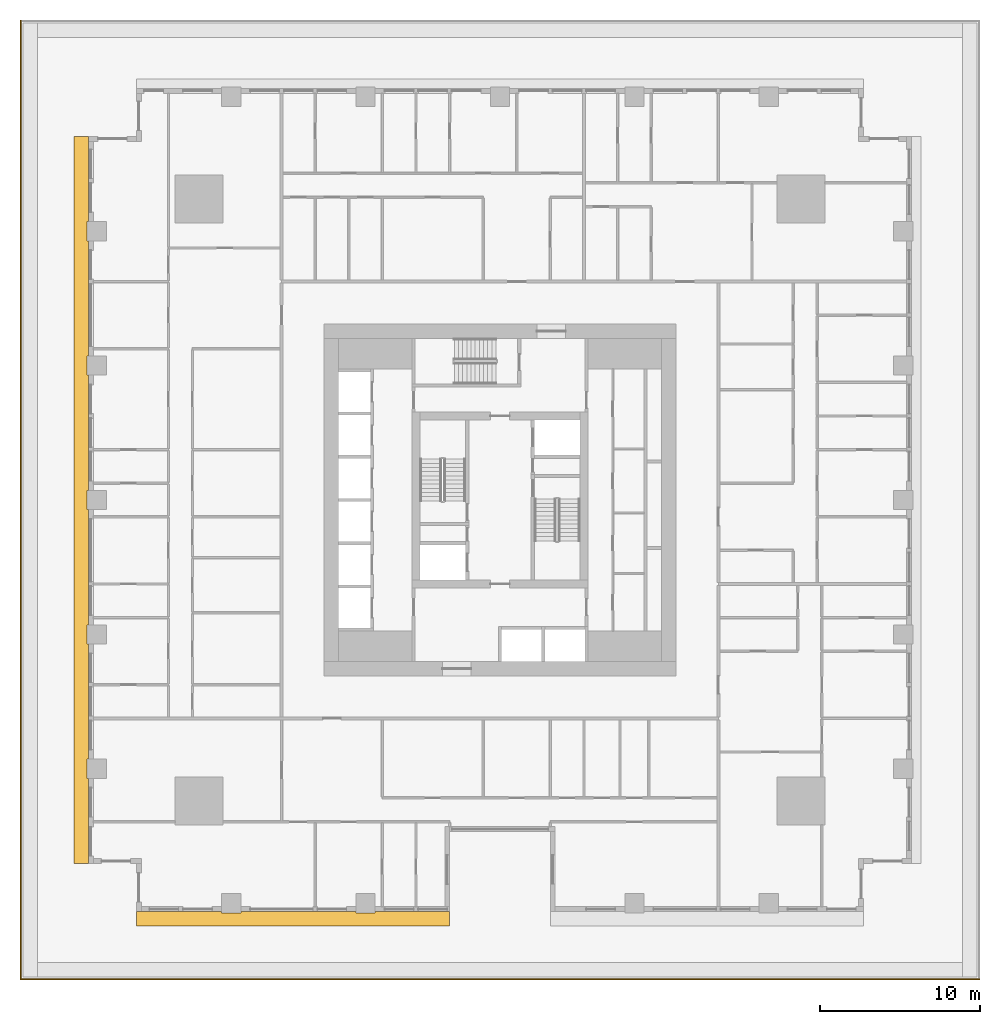
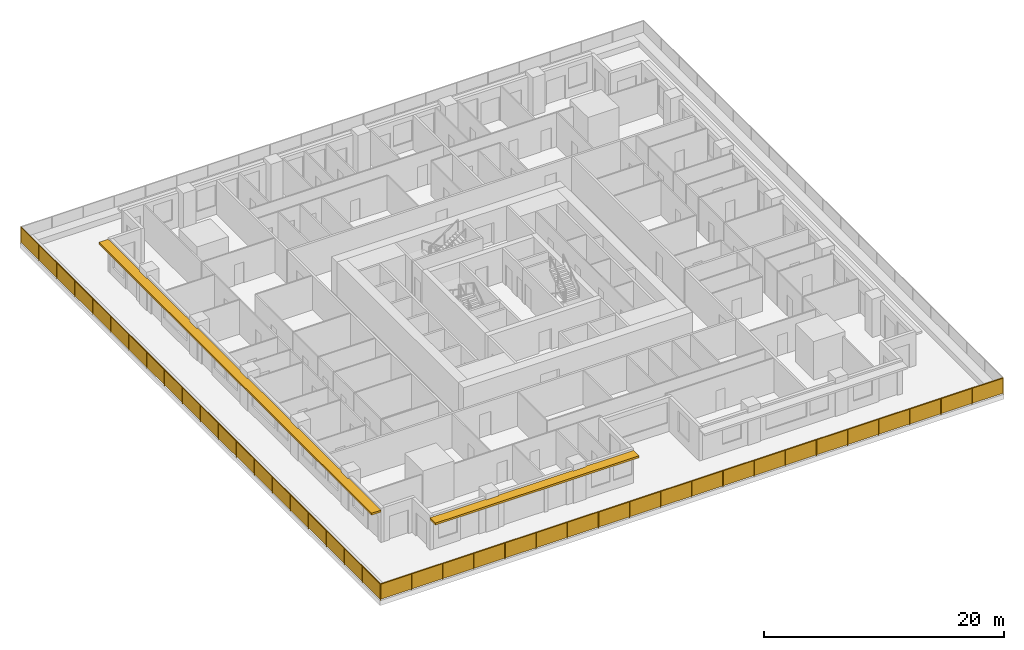
# One storey, part 12 of 16: 2 railings, 2 shading devices.
"""IFC4 building model written with IfcOpenShell, lengths in metres."""

from ifc_helpers import new_model, si_unit, direction, frame, origin, origin_2d, place, context, subcontext, project, spatial, polyline, rectangle, outline, extrude, material, layer, layer_set, type_object, element, save


model = new_model("IFC4")

# Units and contexts
model_context = context("Model", 3, precision=1e-05, world=origin(), true_north=direction((0.0, 1.0)))
body_context = subcontext(model_context, "Body", "Model", "MODEL_VIEW")
ifc_project = project(units=[si_unit("LENGTHUNIT", "METRE"), si_unit("AREAUNIT", "SQUARE_METRE"), si_unit("VOLUMEUNIT", "CUBIC_METRE"), si_unit("PLANEANGLEUNIT", "RADIAN"), si_unit("MASSUNIT", "GRAM", prefix="KILO")], contexts=[model_context])

# Site, building, storey
site_placement = place(None, origin())
site = spatial("IfcSite", under=ifc_project, at=site_placement, CompositionType="ELEMENT")
building_placement = place(site_placement, origin())
building = spatial("IfcBuilding", under=site, at=building_placement, Name="Khepri Terraces", CompositionType="ELEMENT")
storey_placement = place(building_placement, frame((0.0, 0.0, 27.0)))
storey = spatial("IfcBuildingStorey", under=building, at=storey_placement, Name="L05", CompositionType="ELEMENT", Elevation=27.0)

# Railings
ifc_material_1 = material(Name="Stainless steel grade 316", Category="steel")
railing_type = type_object("IfcRailingType", Name="GRD-TERR-1700", PredefinedType="GUARDRAIL", material=ifc_material_1)
railing_1_placement = place(storey_placement, frame((29.949951171875, -29.949951171875, 0.0)))
element("IfcRailing", 1, at=railing_1_placement, inside=storey, type_object=railing_type, Name="Terrace guard L05", PredefinedType="GUARDRAIL", context=body_context, shape_type="SweptSolid", body=[
    extrude(rectangle(XDim=0.050048828125, YDim=0.06005859375, at=origin_2d()), frame((0.0, 0.0, 1.669921875), z_axis=(-1.0, 0.0, 0.0), x_axis=(0.0, -1.0, 0.0)), (0.0, 0.0, 1.0), 59.89990234375),
    extrude(rectangle(XDim=2.94482421875, YDim=0.011962890625, at=origin_2d()), frame((-1.49755859375, 0.0, 0.10009765625), z_axis=(0.0, 0.0, 1.0), x_axis=(-1.0, 0.0, 0.0)), (0.0, 0.0, 1.0), 1.539794921875),
    extrude(rectangle(XDim=2.94482421875, YDim=0.011962890625, at=origin_2d()), frame((-4.492431640625, 0.0, 0.10009765625), z_axis=(0.0, 0.0, 1.0), x_axis=(-1.0, 0.0, 0.0)), (0.0, 0.0, 1.0), 1.539794921875),
    extrude(rectangle(XDim=2.94482421875, YDim=0.011962890625, at=origin_2d()), frame((-7.487548828125, 0.0, 0.10009765625), z_axis=(0.0, 0.0, 1.0), x_axis=(-1.0, 0.0, 0.0)), (0.0, 0.0, 1.0), 1.539794921875),
    extrude(rectangle(XDim=2.94482421875, YDim=0.011962890625, at=origin_2d()), frame((-10.482421875, 0.0, 0.10009765625), z_axis=(0.0, 0.0, 1.0), x_axis=(-1.0, 0.0, 0.0)), (0.0, 0.0, 1.0), 1.539794921875),
    extrude(rectangle(XDim=2.94482421875, YDim=0.011962890625, at=origin_2d()), frame((-13.4775390625, 0.0, 0.10009765625), z_axis=(0.0, 0.0, 1.0), x_axis=(-1.0, 0.0, 0.0)), (0.0, 0.0, 1.0), 1.539794921875),
    extrude(rectangle(XDim=2.94482421875, YDim=0.011962890625, at=origin_2d()), frame((-16.472412109375, 0.0, 0.10009765625), z_axis=(0.0, 0.0, 1.0), x_axis=(-1.0, 0.0, 0.0)), (0.0, 0.0, 1.0), 1.539794921875),
    extrude(rectangle(XDim=2.94482421875, YDim=0.011962890625, at=origin_2d()), frame((-19.467529296875, 0.0, 0.10009765625), z_axis=(0.0, 0.0, 1.0), x_axis=(-1.0, 0.0, 0.0)), (0.0, 0.0, 1.0), 1.539794921875),
    extrude(rectangle(XDim=2.94482421875, YDim=0.011962890625, at=origin_2d()), frame((-22.46240234375, 0.0, 0.10009765625), z_axis=(0.0, 0.0, 1.0), x_axis=(-1.0, 0.0, 0.0)), (0.0, 0.0, 1.0), 1.539794921875),
    extrude(rectangle(XDim=2.94482421875, YDim=0.011962890625, at=origin_2d()), frame((-25.45751953125, 0.0, 0.10009765625), z_axis=(0.0, 0.0, 1.0), x_axis=(-1.0, 0.0, 0.0)), (0.0, 0.0, 1.0), 1.539794921875),
    extrude(rectangle(XDim=2.94482421875, YDim=0.011962890625, at=origin_2d()), frame((-28.452392578125, 0.0, 0.10009765625), z_axis=(0.0, 0.0, 1.0), x_axis=(-1.0, 0.0, 0.0)), (0.0, 0.0, 1.0), 1.539794921875),
    extrude(rectangle(XDim=2.94482421875, YDim=0.011962890625, at=origin_2d()), frame((-31.447509765625, 0.0, 0.10009765625), z_axis=(0.0, 0.0, 1.0), x_axis=(-1.0, 0.0, 0.0)), (0.0, 0.0, 1.0), 1.539794921875),
    extrude(rectangle(XDim=2.94482421875, YDim=0.011962890625, at=origin_2d()), frame((-34.4423828125, 0.0, 0.10009765625), z_axis=(0.0, 0.0, 1.0), x_axis=(-1.0, 0.0, 0.0)), (0.0, 0.0, 1.0), 1.539794921875),
    extrude(rectangle(XDim=2.94482421875, YDim=0.011962890625, at=origin_2d()), frame((-37.4375, 0.0, 0.10009765625), z_axis=(0.0, 0.0, 1.0), x_axis=(-1.0, 0.0, 0.0)), (0.0, 0.0, 1.0), 1.539794921875),
    extrude(rectangle(XDim=2.94482421875, YDim=0.011962890625, at=origin_2d()), frame((-40.432373046875, 0.0, 0.10009765625), z_axis=(0.0, 0.0, 1.0), x_axis=(-1.0, 0.0, 0.0)), (0.0, 0.0, 1.0), 1.539794921875),
    extrude(rectangle(XDim=2.94482421875, YDim=0.011962890625, at=origin_2d()), frame((-43.427490234375, 0.0, 0.10009765625), z_axis=(0.0, 0.0, 1.0), x_axis=(-1.0, 0.0, 0.0)), (0.0, 0.0, 1.0), 1.539794921875),
    extrude(rectangle(XDim=2.94482421875, YDim=0.011962890625, at=origin_2d()), frame((-46.42236328125, 0.0, 0.10009765625), z_axis=(0.0, 0.0, 1.0), x_axis=(-1.0, 0.0, 0.0)), (0.0, 0.0, 1.0), 1.539794921875),
    extrude(rectangle(XDim=2.94482421875, YDim=0.011962890625, at=origin_2d()), frame((-49.41748046875, 0.0, 0.10009765625), z_axis=(0.0, 0.0, 1.0), x_axis=(-1.0, 0.0, 0.0)), (0.0, 0.0, 1.0), 1.539794921875),
    extrude(rectangle(XDim=2.94482421875, YDim=0.011962890625, at=origin_2d()), frame((-52.412353515625, 0.0, 0.10009765625), z_axis=(0.0, 0.0, 1.0), x_axis=(-1.0, 0.0, 0.0)), (0.0, 0.0, 1.0), 1.539794921875),
    extrude(rectangle(XDim=2.94482421875, YDim=0.011962890625, at=origin_2d()), frame((-55.407470703125, 0.0, 0.10009765625), z_axis=(0.0, 0.0, 1.0), x_axis=(-1.0, 0.0, 0.0)), (0.0, 0.0, 1.0), 1.539794921875),
    extrude(rectangle(XDim=2.94482421875, YDim=0.011962890625, at=origin_2d()), frame((-58.40234375, 0.0, 0.10009765625), z_axis=(0.0, 0.0, 1.0), x_axis=(-1.0, 0.0, 0.0)), (0.0, 0.0, 1.0), 1.539794921875),
    extrude(rectangle(XDim=0.050048828125, YDim=0.050048828125, at=origin_2d()), origin(), (0.0, 0.0, 1.0), 1.639892578125),
    extrude(rectangle(XDim=0.050048828125, YDim=0.050048828125, at=origin_2d()), frame((-2.9951171875, 0.0, 0.0)), (0.0, 0.0, 1.0), 1.639892578125),
    extrude(rectangle(XDim=0.050048828125, YDim=0.050048828125, at=origin_2d()), frame((-5.989990234375, 0.0, 0.0)), (0.0, 0.0, 1.0), 1.639892578125),
    extrude(rectangle(XDim=0.050048828125, YDim=0.050048828125, at=origin_2d()), frame((-8.98486328125, 0.0, 0.0)), (0.0, 0.0, 1.0), 1.639892578125),
    extrude(rectangle(XDim=0.050048828125, YDim=0.050048828125, at=origin_2d()), frame((-11.97998046875, 0.0, 0.0)), (0.0, 0.0, 1.0), 1.639892578125),
    extrude(rectangle(XDim=0.050048828125, YDim=0.050048828125, at=origin_2d()), frame((-14.97509765625, 0.0, 0.0)), (0.0, 0.0, 1.0), 1.639892578125),
    extrude(rectangle(XDim=0.050048828125, YDim=0.050048828125, at=origin_2d()), frame((-17.969970703125, 0.0, 0.0)), (0.0, 0.0, 1.0), 1.639892578125),
    extrude(rectangle(XDim=0.050048828125, YDim=0.050048828125, at=origin_2d()), frame((-20.96484375, 0.0, 0.0)), (0.0, 0.0, 1.0), 1.639892578125),
    extrude(rectangle(XDim=0.050048828125, YDim=0.050048828125, at=origin_2d()), frame((-23.9599609375, 0.0, 0.0)), (0.0, 0.0, 1.0), 1.639892578125),
    extrude(rectangle(XDim=0.050048828125, YDim=0.050048828125, at=origin_2d()), frame((-26.955078125, 0.0, 0.0)), (0.0, 0.0, 1.0), 1.639892578125),
    extrude(rectangle(XDim=0.050048828125, YDim=0.050048828125, at=origin_2d()), frame((-29.949951171875, 0.0, 0.0)), (0.0, 0.0, 1.0), 1.639892578125),
    extrude(rectangle(XDim=0.050048828125, YDim=0.050048828125, at=origin_2d()), frame((-32.94482421875, 0.0, 0.0)), (0.0, 0.0, 1.0), 1.639892578125),
    extrude(rectangle(XDim=0.050048828125, YDim=0.050048828125, at=origin_2d()), frame((-35.93994140625, 0.0, 0.0)), (0.0, 0.0, 1.0), 1.639892578125),
    extrude(rectangle(XDim=0.050048828125, YDim=0.050048828125, at=origin_2d()), frame((-38.93505859375, 0.0, 0.0)), (0.0, 0.0, 1.0), 1.639892578125),
    extrude(rectangle(XDim=0.050048828125, YDim=0.050048828125, at=origin_2d()), frame((-41.929931640625, 0.0, 0.0)), (0.0, 0.0, 1.0), 1.639892578125),
    extrude(rectangle(XDim=0.050048828125, YDim=0.050048828125, at=origin_2d()), frame((-44.9248046875, 0.0, 0.0)), (0.0, 0.0, 1.0), 1.639892578125),
    extrude(rectangle(XDim=0.050048828125, YDim=0.050048828125, at=origin_2d()), frame((-47.919921875, 0.0, 0.0)), (0.0, 0.0, 1.0), 1.639892578125),
    extrude(rectangle(XDim=0.050048828125, YDim=0.050048828125, at=origin_2d()), frame((-50.9150390625, 0.0, 0.0)), (0.0, 0.0, 1.0), 1.639892578125),
    extrude(rectangle(XDim=0.050048828125, YDim=0.050048828125, at=origin_2d()), frame((-53.909912109375, 0.0, 0.0)), (0.0, 0.0, 1.0), 1.639892578125),
    extrude(rectangle(XDim=0.050048828125, YDim=0.050048828125, at=origin_2d()), frame((-56.90478515625, 0.0, 0.0)), (0.0, 0.0, 1.0), 1.639892578125),
    extrude(rectangle(XDim=0.050048828125, YDim=0.050048828125, at=origin_2d()), frame((-59.89990234375, 0.0, 0.0)), (0.0, 0.0, 1.0), 1.639892578125),
])
railing_2_placement = place(storey_placement, frame((-29.949951171875, -29.949951171875, 0.0)))
element("IfcRailing", 2, at=railing_2_placement, inside=storey, type_object=railing_type, Name="Terrace guard L05", PredefinedType="GUARDRAIL", context=body_context, shape_type="SweptSolid", body=[
    extrude(rectangle(XDim=0.050048828125, YDim=0.06005859375, at=origin_2d()), frame((0.0, 0.0, 1.669921875), z_axis=(0.0, 1.0, 0.0), x_axis=(-1.0, 0.0, 0.0)), (0.0, 0.0, 1.0), 59.89990234375),
    extrude(rectangle(XDim=2.94482421875, YDim=0.011962890625, at=origin_2d()), frame((0.0, 1.49755859375, 0.10009765625), z_axis=(0.0, 0.0, 1.0), x_axis=(0.0, 1.0, 0.0)), (0.0, 0.0, 1.0), 1.539794921875),
    extrude(rectangle(XDim=2.94482421875, YDim=0.011962890625, at=origin_2d()), frame((0.0, 4.492431640625, 0.10009765625), z_axis=(0.0, 0.0, 1.0), x_axis=(0.0, 1.0, 0.0)), (0.0, 0.0, 1.0), 1.539794921875),
    extrude(rectangle(XDim=2.94482421875, YDim=0.011962890625, at=origin_2d()), frame((0.0, 7.487548828125, 0.10009765625), z_axis=(0.0, 0.0, 1.0), x_axis=(0.0, 1.0, 0.0)), (0.0, 0.0, 1.0), 1.539794921875),
    extrude(rectangle(XDim=2.94482421875, YDim=0.011962890625, at=origin_2d()), frame((0.0, 10.482421875, 0.10009765625), z_axis=(0.0, 0.0, 1.0), x_axis=(0.0, 1.0, 0.0)), (0.0, 0.0, 1.0), 1.539794921875),
    extrude(rectangle(XDim=2.94482421875, YDim=0.011962890625, at=origin_2d()), frame((0.0, 13.4775390625, 0.10009765625), z_axis=(0.0, 0.0, 1.0), x_axis=(0.0, 1.0, 0.0)), (0.0, 0.0, 1.0), 1.539794921875),
    extrude(rectangle(XDim=2.94482421875, YDim=0.011962890625, at=origin_2d()), frame((0.0, 16.472412109375, 0.10009765625), z_axis=(0.0, 0.0, 1.0), x_axis=(0.0, 1.0, 0.0)), (0.0, 0.0, 1.0), 1.539794921875),
    extrude(rectangle(XDim=2.94482421875, YDim=0.011962890625, at=origin_2d()), frame((0.0, 19.467529296875, 0.10009765625), z_axis=(0.0, 0.0, 1.0), x_axis=(0.0, 1.0, 0.0)), (0.0, 0.0, 1.0), 1.539794921875),
    extrude(rectangle(XDim=2.94482421875, YDim=0.011962890625, at=origin_2d()), frame((0.0, 22.46240234375, 0.10009765625), z_axis=(0.0, 0.0, 1.0), x_axis=(0.0, 1.0, 0.0)), (0.0, 0.0, 1.0), 1.539794921875),
    extrude(rectangle(XDim=2.94482421875, YDim=0.011962890625, at=origin_2d()), frame((0.0, 25.45751953125, 0.10009765625), z_axis=(0.0, 0.0, 1.0), x_axis=(0.0, 1.0, 0.0)), (0.0, 0.0, 1.0), 1.539794921875),
    extrude(rectangle(XDim=2.94482421875, YDim=0.011962890625, at=origin_2d()), frame((0.0, 28.452392578125, 0.10009765625), z_axis=(0.0, 0.0, 1.0), x_axis=(0.0, 1.0, 0.0)), (0.0, 0.0, 1.0), 1.539794921875),
    extrude(rectangle(XDim=2.94482421875, YDim=0.011962890625, at=origin_2d()), frame((0.0, 31.447509765625, 0.10009765625), z_axis=(0.0, 0.0, 1.0), x_axis=(0.0, 1.0, 0.0)), (0.0, 0.0, 1.0), 1.539794921875),
    extrude(rectangle(XDim=2.94482421875, YDim=0.011962890625, at=origin_2d()), frame((0.0, 34.4423828125, 0.10009765625), z_axis=(0.0, 0.0, 1.0), x_axis=(0.0, 1.0, 0.0)), (0.0, 0.0, 1.0), 1.539794921875),
    extrude(rectangle(XDim=2.94482421875, YDim=0.011962890625, at=origin_2d()), frame((0.0, 37.4375, 0.10009765625), z_axis=(0.0, 0.0, 1.0), x_axis=(0.0, 1.0, 0.0)), (0.0, 0.0, 1.0), 1.539794921875),
    extrude(rectangle(XDim=2.94482421875, YDim=0.011962890625, at=origin_2d()), frame((0.0, 40.432373046875, 0.10009765625), z_axis=(0.0, 0.0, 1.0), x_axis=(0.0, 1.0, 0.0)), (0.0, 0.0, 1.0), 1.539794921875),
    extrude(rectangle(XDim=2.94482421875, YDim=0.011962890625, at=origin_2d()), frame((0.0, 43.427490234375, 0.10009765625), z_axis=(0.0, 0.0, 1.0), x_axis=(0.0, 1.0, 0.0)), (0.0, 0.0, 1.0), 1.539794921875),
    extrude(rectangle(XDim=2.94482421875, YDim=0.011962890625, at=origin_2d()), frame((0.0, 46.42236328125, 0.10009765625), z_axis=(0.0, 0.0, 1.0), x_axis=(0.0, 1.0, 0.0)), (0.0, 0.0, 1.0), 1.539794921875),
    extrude(rectangle(XDim=2.94482421875, YDim=0.011962890625, at=origin_2d()), frame((0.0, 49.41748046875, 0.10009765625), z_axis=(0.0, 0.0, 1.0), x_axis=(0.0, 1.0, 0.0)), (0.0, 0.0, 1.0), 1.539794921875),
    extrude(rectangle(XDim=2.94482421875, YDim=0.011962890625, at=origin_2d()), frame((0.0, 52.412353515625, 0.10009765625), z_axis=(0.0, 0.0, 1.0), x_axis=(0.0, 1.0, 0.0)), (0.0, 0.0, 1.0), 1.539794921875),
    extrude(rectangle(XDim=2.94482421875, YDim=0.011962890625, at=origin_2d()), frame((0.0, 55.407470703125, 0.10009765625), z_axis=(0.0, 0.0, 1.0), x_axis=(0.0, 1.0, 0.0)), (0.0, 0.0, 1.0), 1.539794921875),
    extrude(rectangle(XDim=2.94482421875, YDim=0.011962890625, at=origin_2d()), frame((0.0, 58.40234375, 0.10009765625), z_axis=(0.0, 0.0, 1.0), x_axis=(0.0, 1.0, 0.0)), (0.0, 0.0, 1.0), 1.539794921875),
    extrude(rectangle(XDim=0.050048828125, YDim=0.050048828125, at=origin_2d()), frame((0.0, 2.9951171875, 0.0)), (0.0, 0.0, 1.0), 1.639892578125),
    extrude(rectangle(XDim=0.050048828125, YDim=0.050048828125, at=origin_2d()), frame((0.0, 5.989990234375, 0.0)), (0.0, 0.0, 1.0), 1.639892578125),
    extrude(rectangle(XDim=0.050048828125, YDim=0.050048828125, at=origin_2d()), frame((0.0, 8.98486328125, 0.0)), (0.0, 0.0, 1.0), 1.639892578125),
    extrude(rectangle(XDim=0.050048828125, YDim=0.050048828125, at=origin_2d()), frame((0.0, 11.97998046875, 0.0)), (0.0, 0.0, 1.0), 1.639892578125),
    extrude(rectangle(XDim=0.050048828125, YDim=0.050048828125, at=origin_2d()), frame((0.0, 14.97509765625, 0.0)), (0.0, 0.0, 1.0), 1.639892578125),
    extrude(rectangle(XDim=0.050048828125, YDim=0.050048828125, at=origin_2d()), frame((0.0, 17.969970703125, 0.0)), (0.0, 0.0, 1.0), 1.639892578125),
    extrude(rectangle(XDim=0.050048828125, YDim=0.050048828125, at=origin_2d()), frame((0.0, 20.96484375, 0.0)), (0.0, 0.0, 1.0), 1.639892578125),
    extrude(rectangle(XDim=0.050048828125, YDim=0.050048828125, at=origin_2d()), frame((0.0, 23.9599609375, 0.0)), (0.0, 0.0, 1.0), 1.639892578125),
    extrude(rectangle(XDim=0.050048828125, YDim=0.050048828125, at=origin_2d()), frame((0.0, 26.955078125, 0.0)), (0.0, 0.0, 1.0), 1.639892578125),
    extrude(rectangle(XDim=0.050048828125, YDim=0.050048828125, at=origin_2d()), frame((0.0, 29.949951171875, 0.0)), (0.0, 0.0, 1.0), 1.639892578125),
    extrude(rectangle(XDim=0.050048828125, YDim=0.050048828125, at=origin_2d()), frame((0.0, 32.94482421875, 0.0)), (0.0, 0.0, 1.0), 1.639892578125),
    extrude(rectangle(XDim=0.050048828125, YDim=0.050048828125, at=origin_2d()), frame((0.0, 35.93994140625, 0.0)), (0.0, 0.0, 1.0), 1.639892578125),
    extrude(rectangle(XDim=0.050048828125, YDim=0.050048828125, at=origin_2d()), frame((0.0, 38.93505859375, 0.0)), (0.0, 0.0, 1.0), 1.639892578125),
    extrude(rectangle(XDim=0.050048828125, YDim=0.050048828125, at=origin_2d()), frame((0.0, 41.929931640625, 0.0)), (0.0, 0.0, 1.0), 1.639892578125),
    extrude(rectangle(XDim=0.050048828125, YDim=0.050048828125, at=origin_2d()), frame((0.0, 44.9248046875, 0.0)), (0.0, 0.0, 1.0), 1.639892578125),
    extrude(rectangle(XDim=0.050048828125, YDim=0.050048828125, at=origin_2d()), frame((0.0, 47.919921875, 0.0)), (0.0, 0.0, 1.0), 1.639892578125),
    extrude(rectangle(XDim=0.050048828125, YDim=0.050048828125, at=origin_2d()), frame((0.0, 50.9150390625, 0.0)), (0.0, 0.0, 1.0), 1.639892578125),
    extrude(rectangle(XDim=0.050048828125, YDim=0.050048828125, at=origin_2d()), frame((0.0, 53.909912109375, 0.0)), (0.0, 0.0, 1.0), 1.639892578125),
    extrude(rectangle(XDim=0.050048828125, YDim=0.050048828125, at=origin_2d()), frame((0.0, 56.90478515625, 0.0)), (0.0, 0.0, 1.0), 1.639892578125),
    extrude(rectangle(XDim=0.050048828125, YDim=0.050048828125, at=origin_2d()), frame((0.0, 59.89990234375, 0.0)), (0.0, 0.0, 1.0), 1.639892578125),
])

# Shading devices
ifc_material_2 = material(Name="Precast concrete C50/60 warm stone", Category="masonry")
ifc_layer = layer(ifc_material_2, 0.199951171875, Name="Precast concrete C50/60 warm stone", Category="masonry")
ifc_layer_set = layer_set([ifc_layer], Name="Precast concrete C50/60 warm stone")
shading_device_type = type_object("IfcShadingDeviceType", Name="SSH-BAND-STONE-200", PredefinedType="USERDEFINED", material=ifc_layer_set)
shading_device_1_placement = place(storey_placement, frame((0.0, 0.0, 3.10009765625)))
element("IfcShadingDevice", 3, at=shading_device_1_placement, inside=storey, type_object=shading_device_type, Name="Sunshade band L05 S", ObjectType="SUNSHADE", PredefinedType="USERDEFINED", context=body_context, shape_type="SweptSolid", body=[
    extrude(outline(polyline([(-17.39990234375, -25.719970703125), (-22.719970703125, -25.719970703125), (-22.719970703125, -26.6201171875), (-3.14990234375, -26.6201171875), (-3.14990234375, -25.719970703125), (-7.800048828125, -25.719970703125), (-7.800048828125, -25.800048828125), (-9.0, -25.800048828125), (-9.0, -25.719970703125), (-16.199951171875, -25.719970703125), (-16.199951171875, -25.800048828125), (-17.39990234375, -25.800048828125), (-17.39990234375, -25.719970703125)])), origin(), (0.0, 0.0, 1.0), 0.199951171875),
])
shading_device_2_placement = place(storey_placement, frame((0.0, 0.0, 3.10009765625)))
element("IfcShadingDevice", 4, at=shading_device_2_placement, inside=storey, type_object=shading_device_type, Name="Sunshade band L05 W", ObjectType="SUNSHADE", PredefinedType="USERDEFINED", context=body_context, shape_type="SweptSolid", body=[
    extrude(outline(polyline([(-25.719970703125, 17.39990234375), (-25.719970703125, 22.719970703125), (-26.6201171875, 22.719970703125), (-26.6201171875, -22.719970703125), (-25.719970703125, -22.719970703125), (-25.719970703125, -17.39990234375), (-25.800048828125, -17.39990234375), (-25.800048828125, -16.199951171875), (-25.719970703125, -16.199951171875), (-25.719970703125, -9.0), (-25.800048828125, -9.0), (-25.800048828125, -7.800048828125), (-25.719970703125, -7.800048828125), (-25.719970703125, -0.60009765625), (-25.800048828125, -0.60009765625), (-25.800048828125, 0.60009765625), (-25.719970703125, 0.60009765625), (-25.719970703125, 7.800048828125), (-25.800048828125, 7.800048828125), (-25.800048828125, 9.0), (-25.719970703125, 9.0), (-25.719970703125, 16.199951171875), (-25.800048828125, 16.199951171875), (-25.800048828125, 17.39990234375), (-25.719970703125, 17.39990234375)])), origin(), (0.0, 0.0, 1.0), 0.199951171875),
])

save(model, "model.ifc")
